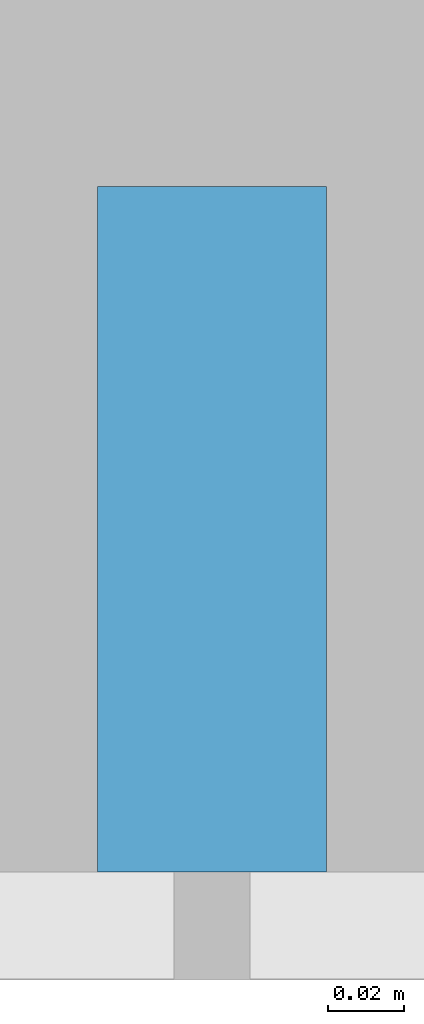
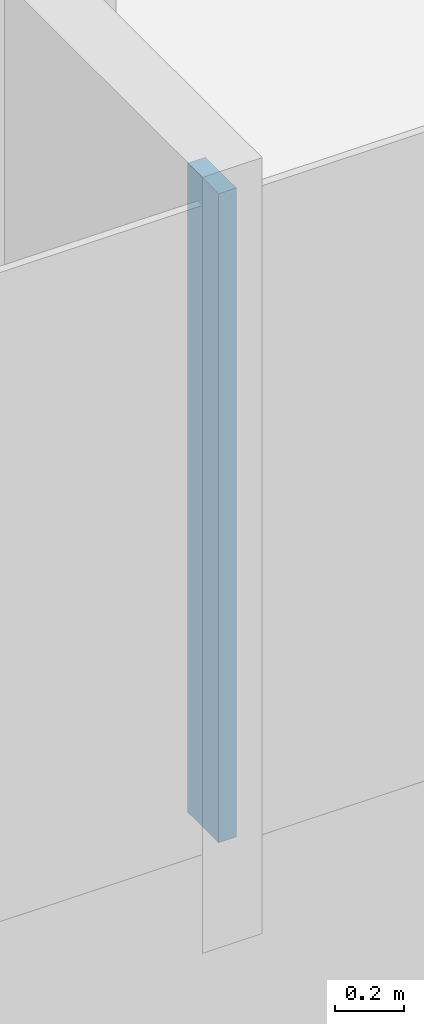
# One storey, part 3 of 26: 1 member, 1 element without a shape of its own.
"""IFC4 building model written with IfcOpenShell, lengths in metres."""

from ifc_helpers import new_model, si_unit, direction, frame, origin, origin_2d, place, context, subcontext, project, spatial, rectangle, extrude, material, layer, layer_set, material_profile, profile_set, type_object, element, aggregate, save


model = new_model("IFC4")

# Units and contexts
model_context = context("Model", 3, precision=1e-05, world=origin(), true_north=direction((0.0, 1.0)))
body_context = subcontext(model_context, "Body", "Model", "MODEL_VIEW")
ifc_project = project(units=[si_unit("LENGTHUNIT", "METRE"), si_unit("AREAUNIT", "SQUARE_METRE"), si_unit("VOLUMEUNIT", "CUBIC_METRE"), si_unit("PLANEANGLEUNIT", "RADIAN"), si_unit("MASSUNIT", "GRAM", prefix="KILO")], contexts=[model_context])

# Site, building, storey
site_placement = place(None, origin())
site = spatial("IfcSite", under=ifc_project, at=site_placement, CompositionType="ELEMENT")
building_placement = place(site_placement, origin())
building = spatial("IfcBuilding", under=site, at=building_placement, Name="Hakoniwa Tower and Hamabe Station Hall", CompositionType="ELEMENT")
storey_placement = place(building_placement, frame((0.0, 0.0, 189.800048828125)))
storey = spatial("IfcBuildingStorey", under=building, at=storey_placement, Name="L53", CompositionType="ELEMENT", Elevation=189.800048828125)

# Curtain wall, member
ifc_material_1 = material(Name="Dark low-e laminated glass", Category="glass")
ifc_layer = layer(ifc_material_1, 0.199951171875)
ifc_layer_set = layer_set([ifc_layer], Name="CW-1 UNITISED GUEST")
curtain_wall_type = type_object("IfcCurtainWallType", Name="CW-1 UNITISED GUEST", PredefinedType="NOTDEFINED", material=ifc_layer_set)
curtain_wall_placement = place(storey_placement, origin())
curtain_wall = element("IfcCurtainWall", 1, at=curtain_wall_placement, inside=storey, type_object=curtain_wall_type, Name="CW-1 curtain wall", PredefinedType="NOTDEFINED")
ifc_material_2 = material(Name="Aluminium 6063-T5 black anodised", Category="aluminium")
ifc_material_profile = material_profile(ifc_material_2, rectangle(XDim=0.06005859375, YDim=0.179931640625, at=origin_2d()), Name="CW-1 MULLION 60X180")
ifc_profile_set = profile_set([ifc_material_profile], Name="Aluminium 6063-T5 black anodised")
member_type = type_object("IfcMemberType", Name="CW-1 MULLION 60X180", PredefinedType="MULLION", material=ifc_profile_set)
member_placement = place(storey_placement, frame((0.0, -15.431884765625, 0.349853515625), z_axis=(0.0, 0.0, 1.0), x_axis=(1.0, 0.0, 0.0)))
member = element("IfcMember", 2, at=member_placement, type_object=member_type, Name="CW-1 mullion", PredefinedType="MULLION", context=body_context, shape_type="SweptSolid", body=[
    extrude(rectangle(XDim=0.06005859375, YDim=0.179931640625, at=origin_2d()), origin(), (0.0, 0.0, 1.0), 2.300048828125),
])
aggregate(curtain_wall, [member])

save(model, "model.ifc")
